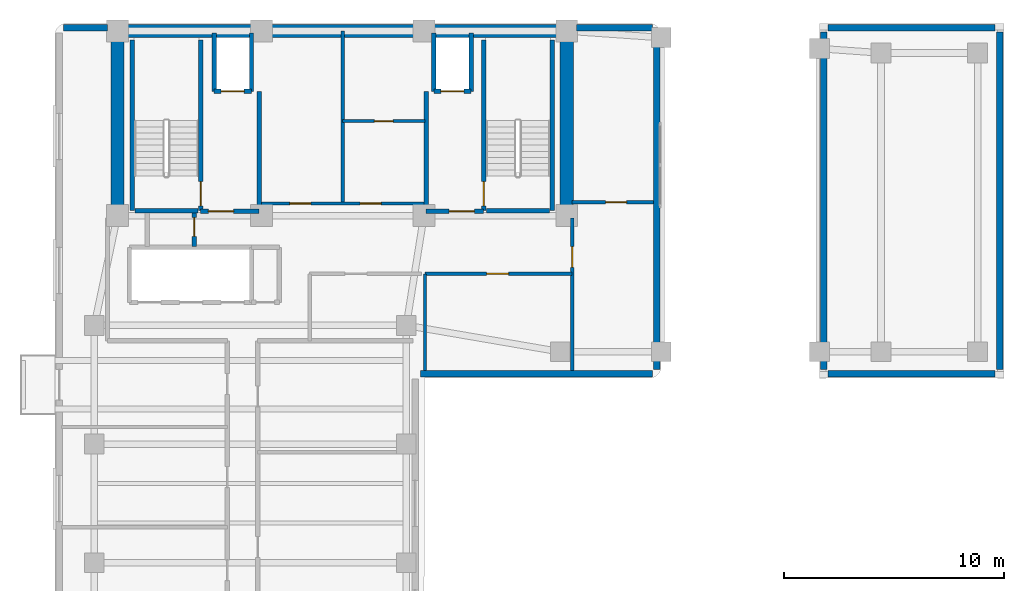
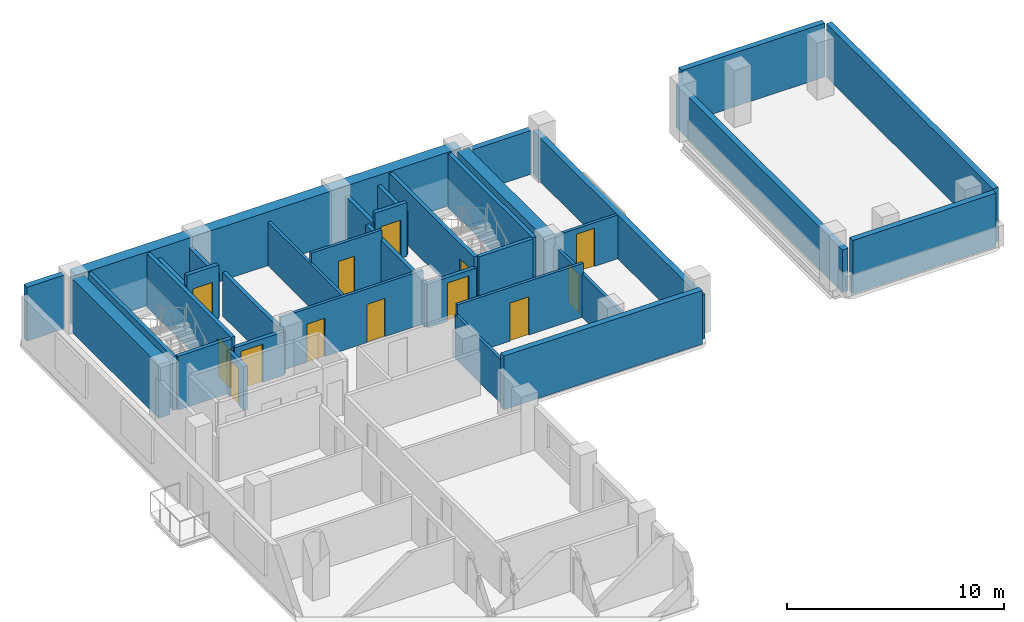
# One storey, part 7 of 10: 35 walls, 13 doors, 13 openings.
"""IFC4 building model written with IfcOpenShell, lengths in metres."""

import ifcopenshell
import ifcopenshell.guid

model = None  # the IFC model being written
_history = None  # IfcOwnerHistory: only IFC2X3 demands one
_inside = {}  # id of a spatial element -> (the spatial element, [elements in it])
_under = {}  # id of a project, library or spatial element -> (it, [spatial elements below it])
_declared = {}  # id of a project -> (the project, [libraries it declares])
_typed = {}  # id of a type object -> (the type object, [elements of that type])
_made_of = {}  # id of a material, layer set ... -> (it, [elements and type objects made of it])


def new_model(schema):
    """Start an empty IFC model of exactly this schema.

    Asked for "IFC4X3", IfcOpenShell would pick the latest addendum, in which some entities
    have other attributes; the version numbers below select the first issue.
    IFC2X3 requires an IfcOwnerHistory on every rooted entity: one is made here for all.
    """
    global model, _history
    if schema == "IFC4X3":
        model = ifcopenshell.file(schema_version=(4, 3, 0, 0))
    else:
        model = ifcopenshell.file(schema=schema)
    _inside.clear()
    _under.clear()
    _declared.clear()
    _typed.clear()
    _made_of.clear()
    _history = None
    if model.schema == "IFC2X3":
        org = make("IfcOrganization", Name="unknown")
        user = make(
            "IfcPersonAndOrganization",
            ThePerson=make("IfcPerson", FamilyName="unknown"),
            TheOrganization=org,
        )
        app = make(
            "IfcApplication",
            ApplicationDeveloper=org,
            Version="unknown",
            ApplicationFullName="unknown",
            ApplicationIdentifier="unknown",
        )
        _history = make(
            "IfcOwnerHistory",
            OwningUser=user,
            OwningApplication=app,
            ChangeAction="ADDED",
            CreationDate=0,
        )
    return model


def make(cls, **values):
    """One entity of the class cls with the attributes given. An attribute that is None is left unset."""
    return model.create_entity(
        cls, **{name: value for name, value in values.items() if value is not None}
    )


def rooted(cls, **values):
    """An entity with a GlobalId (a new one), such as an element, a storey or a relation."""
    return make(cls, GlobalId=ifcopenshell.guid.new(), OwnerHistory=_history, **values)


def si_unit(unit_type, name, prefix=None):
    """IfcSIUnit, for example si_unit("LENGTHUNIT", "METRE", prefix="MILLI")."""
    return make("IfcSIUnit", UnitType=unit_type, Prefix=prefix, Name=name)


def assignment(units):
    """IfcUnitAssignment: the units of a project."""
    return None if units is None else make("IfcUnitAssignment", Units=units)


def point(xyz):
    """IfcCartesianPoint."""
    return None if xyz is None else make("IfcCartesianPoint", Coordinates=xyz)


def direction(xyz):
    """IfcDirection."""
    return None if xyz is None else make("IfcDirection", DirectionRatios=xyz)


def frame(location, z_axis=None, x_axis=None):
    """IfcAxis2Placement3D, a coordinate frame: its origin and axes. An axis left out is left unset."""
    return make(
        "IfcAxis2Placement3D",
        Location=point(location),
        Axis=direction(z_axis),
        RefDirection=direction(x_axis),
    )


def frame_2d(location, x_axis=None):
    """IfcAxis2Placement2D, a coordinate frame in the plane: its origin and x axis."""
    return make(
        "IfcAxis2Placement2D", Location=point(location), RefDirection=direction(x_axis)
    )


def origin():
    """The frame at (0, 0, 0) with its axes left unset."""
    return frame((0.0, 0.0, 0.0))


def place(relative_to, where):
    """IfcLocalPlacement: puts the frame where relative to a parent placement (None: the world)."""
    return make(
        "IfcLocalPlacement", PlacementRelTo=relative_to, RelativePlacement=where
    )


def context(
    kind, dimensions, precision=None, world=None, true_north=None, identifier=None
):
    """IfcGeometricRepresentationContext, for example the 3D "Model" context."""
    return make(
        "IfcGeometricRepresentationContext",
        ContextIdentifier=identifier,
        ContextType=kind,
        CoordinateSpaceDimension=dimensions,
        Precision=precision,
        WorldCoordinateSystem=world,
        TrueNorth=true_north,
    )


def subcontext(parent, identifier, kind, view, scale=None):
    """IfcGeometricRepresentationSubContext, for example "Body" below "Model"."""
    return make(
        "IfcGeometricRepresentationSubContext",
        ContextIdentifier=identifier,
        ContextType=kind,
        ParentContext=parent,
        TargetScale=scale,
        TargetView=view,
    )


def project(units=None, contexts=None):
    """IfcProject with its units and contexts."""
    return rooted(
        "IfcProject",
        Name="project",
        RepresentationContexts=contexts,
        UnitsInContext=assignment(units),
    )


def spatial(cls, under=None, at=None, **own):
    """A site, building, storey or space (cls), placed at a placement, below another one or the project."""
    s = rooted(cls, ObjectPlacement=at, **own)
    if under is not None:
        _under.setdefault(under.id(), (under, []))[1].append(s)
    return s


def profile(cls, at=None, kind="AREA", **sizes):
    """A parametric profile (cls). Its sizes go by their IFC names, for example OverallWidth=200.0."""
    return make(cls, ProfileType=kind, Position=at, **sizes)


def rectangle(**sizes):
    """IfcRectangleProfileDef."""
    return profile("IfcRectangleProfileDef", **sizes)


def extrude(swept, where, along, depth):
    """IfcExtrudedAreaSolid: the profile swept, set in the frame where, extruded along a direction by depth."""
    return make(
        "IfcExtrudedAreaSolid",
        SweptArea=swept,
        Position=where,
        ExtrudedDirection=direction(along),
        Depth=depth,
    )


def shape(context_of_items, identifier, shape_type, items):
    """IfcShapeRepresentation: the items that make up one representation, for example the "Body"."""
    return make(
        "IfcShapeRepresentation",
        ContextOfItems=context_of_items,
        RepresentationIdentifier=identifier,
        RepresentationType=shape_type,
        Items=items,
    )


def material(Name=None, Category=None):
    """IfcMaterial."""
    return make("IfcMaterial", Name=Name, Category=Category)


def layer(
    of_material, thickness, ventilated=None, Name=None, Category=None, Priority=None
):
    """IfcMaterialLayer: one layer of a wall or slab, of a material (None: an air gap)."""
    return make(
        "IfcMaterialLayer",
        Material=of_material,
        LayerThickness=thickness,
        IsVentilated=ventilated,
        Name=Name,
        Category=Category,
        Priority=Priority,
    )


def layer_set(layers, Name=None):
    """IfcMaterialLayerSet."""
    return make("IfcMaterialLayerSet", MaterialLayers=layers, LayerSetName=Name)


def made_of(thing, what):
    """Note that an element or type object is made of a material, layer set ...; save() writes the relation."""
    if what is not None:
        _made_of.setdefault(what.id(), (what, []))[1].append(thing)
    return thing


def type_object(cls, material=None, **own):
    """A type object (cls), such as IfcWallType, which elements share."""
    return made_of(rooted(cls, **own), material)


def element(
    cls,
    number,
    at=None,
    inside=None,
    cuts=None,
    type_object=None,
    material=None,
    context=None,
    identifier="Body",
    shape_type=None,
    held_by="IfcProductDefinitionShape",
    body=None,
    shapes=None,
    **own,
):
    """One element of the class cls, such as IfcWall. Its Tag is "e" and its number.

    at: its placement. inside: the storey or other place that contains it. cuts: it is an
    opening in that element (IfcRelVoidsElement). A single representation is given by context,
    identifier, shape_type and body (its items); several are given by shapes. held_by: the class
    of the entity that holds the representations. save() writes the other relations.
    """
    e = rooted(cls, Tag="e%d" % number, ObjectPlacement=at, **own)
    if body is not None:
        shapes = [shape(context, identifier, shape_type, body)]
    if shapes is not None:
        e.Representation = make(held_by, Representations=shapes)
    if inside is not None:
        _inside.setdefault(inside.id(), (inside, []))[1].append(e)
    if cuts is not None:
        rooted(
            "IfcRelVoidsElement", RelatingBuildingElement=cuts, RelatedOpeningElement=e
        )
    if type_object is not None:
        _typed.setdefault(type_object.id(), (type_object, []))[1].append(e)
    return made_of(e, material)


def fill(opening, filler):
    """IfcRelFillsElement: the door or window that sits in an opening."""
    return rooted(
        "IfcRelFillsElement",
        RelatingOpeningElement=opening,
        RelatedBuildingElement=filler,
    )


def aggregate(whole, parts):
    """IfcRelAggregates: a whole, such as a stair, and the parts it consists of."""
    return rooted("IfcRelAggregates", RelatingObject=whole, RelatedObjects=parts)


def save(model, path):
    """Write the relations noted so far, then the file.

    IfcRelAggregates (storeys below a building ...), IfcRelContainedInSpatialStructure (elements
    in a storey), IfcRelDefinesByType, IfcRelAssociatesMaterial and IfcRelDeclares: one each for
    every whole, place, type object, material and project.
    """
    for whole, parts in _under.values():
        aggregate(whole, parts)
    for where, things in _inside.values():
        rooted(
            "IfcRelContainedInSpatialStructure",
            RelatedElements=things,
            RelatingStructure=where,
        )
    for kind, things in _typed.values():
        rooted("IfcRelDefinesByType", RelatedObjects=things, RelatingType=kind)
    for what, things in _made_of.values():
        rooted("IfcRelAssociatesMaterial", RelatedObjects=things, RelatingMaterial=what)
    for by, libraries in _declared.values():
        rooted("IfcRelDeclares", RelatingContext=by, RelatedDefinitions=libraries)
    model.write(path)


model = new_model("IFC4")

# Units and contexts
model_context = context("Model", 3, precision=1e-05, world=origin(), true_north=direction((0.0, 1.0)))
body_context = subcontext(model_context, "Body", "Model", "MODEL_VIEW")
ifc_project = project(units=[si_unit("LENGTHUNIT", "METRE"), si_unit("AREAUNIT", "SQUARE_METRE"), si_unit("VOLUMEUNIT", "CUBIC_METRE"), si_unit("PLANEANGLEUNIT", "RADIAN"), si_unit("MASSUNIT", "GRAM", prefix="KILO")], contexts=[model_context])

# Site, building, storey
site_placement = place(None, origin())
site = spatial("IfcSite", under=ifc_project, at=site_placement, CompositionType="ELEMENT")
building_placement = place(site_placement, origin())
building = spatial("IfcBuilding", under=site, at=building_placement, Name="Kuzgunbayir Cultural Tower", CompositionType="ELEMENT")
storey_placement = place(building_placement, frame((0.0, 0.0, 160.0)))
storey = spatial("IfcBuildingStorey", under=building, at=storey_placement, Name="L46", CompositionType="ELEMENT", Elevation=160.0)

# Walls
ifc_material_1 = material(Name="Concrete C60/75", Category="concrete")
ifc_layer_1 = layer(ifc_material_1, 0.60009765625)
ifc_layer_set_1 = layer_set([ifc_layer_1], Name="Concrete C60/75")
wall_type_1 = type_object("IfcWallType", Name="WAL-CORE-600", PredefinedType="SHEAR", material=ifc_layer_set_1)
wall_1_placement = place(storey_placement, frame((6.449951171875, 42.199951171875, 0.0), z_axis=(0.0, 0.0, 1.0), x_axis=(1.0, 0.0, 0.0)))
element("IfcWall", 1, at=wall_1_placement, inside=storey, type_object=wall_type_1, Name="L46 T1 Core North Shear Wall", PredefinedType="SHEAR", context=body_context, shape_type="SweptSolid", body=[
    extrude(rectangle(XDim=20.449951171875, YDim=0.60009765625, at=frame_2d((10.22509765625, 0.0))), origin(), (0.0, 0.0, 1.0), 3.02001953125),
])
for number, where, z_axis, x_axis, name in (
    (2, (6.449951171875, 33.800048828125, 0.0), (0.0, 0.0, 1.0), (0.0, 1.0, 0.0), "L46 T1 Core West Shear Wall"),
    (3, (26.89990234375, 33.800048828125, 0.0), (0.0, 0.0, 1.0), (0.0, 1.0, 0.0), "L46 T1 Core East Shear Wall"),
):
    element("IfcWall", number, at=place(storey_placement, frame(where, z_axis=z_axis, x_axis=x_axis)), inside=storey, type_object=wall_type_1, Name=name, PredefinedType="SHEAR", context=body_context, shape_type="SweptSolid", body=[
        extrude(rectangle(XDim=7.949951171875, YDim=0.60009765625, at=frame_2d((3.97509765625, 0.0))), origin(), (0.0, 0.0, 1.0), 3.02001953125),
    ])
ifc_material_2 = material(Name="Anatolian Cream Limestone", Category="masonry")
ifc_layer_2 = layer(ifc_material_2, 0.300048828125)
ifc_layer_set_2 = layer_set([ifc_layer_2], Name="Anatolian Cream Limestone")
wall_type_2 = type_object("IfcWallType", Name="WAL-EXT-STONE-300", PredefinedType="STANDARD", material=ifc_layer_set_2)
wall_2_placement = place(storey_placement, frame((30.800048828125, 42.35009765625, 0.0), z_axis=(0.0, 0.0, 1.0), x_axis=(-1.0, 0.0, 0.0)))
element("IfcWall", 4, at=wall_2_placement, inside=storey, type_object=wall_type_2, Name="L46 North Wing B Limestone Wall", PredefinedType="STANDARD", context=body_context, shape_type="SweptSolid", body=[
    extrude(rectangle(XDim=3.449951171875, YDim=0.300048828125, at=frame_2d((1.72509765625, 0.0))), origin(), (0.0, 0.0, 1.0), 2.4599609375),
])
wall_3_placement = place(storey_placement, frame((6.0, 42.35009765625, 0.0), z_axis=(0.0, 0.0, 1.0), x_axis=(-1.0, 0.0, 0.0)))
element("IfcWall", 5, at=wall_3_placement, inside=storey, type_object=wall_type_2, Name="L46 Core North-West Spandrel Link", PredefinedType="STANDARD", context=body_context, shape_type="SweptSolid", body=[
    extrude(rectangle(XDim=2.0, YDim=0.300048828125, at=frame_2d((1.0, 0.0))), origin(), (0.0, 0.0, 1.0), 3.02001953125),
])
wall_4_placement = place(storey_placement, frame((20.25, 26.60009765625, 0.0), z_axis=(0.0, 0.0, 1.0), x_axis=(1.0, 0.0, 0.0)))
element("IfcWall", 6, at=wall_4_placement, inside=storey, type_object=wall_type_2, Name="L46 Wind-Portal West Wing Wall", PredefinedType="STANDARD", context=body_context, shape_type="SweptSolid", body=[
    extrude(rectangle(XDim=10.550048828125, YDim=0.300048828125, at=frame_2d((5.27490234375, 0.0))), origin(), (0.0, 0.0, 1.0), 3.02001953125),
])
for number, where, z_axis, x_axis, name in (
    (7, (38.800048828125, 26.60009765625, 0.0), (0.0, 0.0, 1.0), (1.0, 0.0, 0.0), "L46 Wind-Portal East Pier South Wall"),
    (8, (46.39990234375, 42.35009765625, 0.0), (0.0, 0.0, 1.0), (-1.0, 0.0, 0.0), "L46 Wind-Portal East Pier North Wall"),
):
    element("IfcWall", number, at=place(storey_placement, frame(where, z_axis=z_axis, x_axis=x_axis)), inside=storey, type_object=wall_type_2, Name=name, PredefinedType="STANDARD", context=body_context, shape_type="SweptSolid", body=[
        extrude(rectangle(XDim=7.599853515625, YDim=0.300048828125, at=frame_2d((3.7998046875, 0.0))), origin(), (0.0, 0.0, 1.0), 3.02001953125),
    ])
wall_5_placement = place(storey_placement, frame((31.0, 26.800048828125, 0.0), z_axis=(0.0, 0.0, 1.0), x_axis=(0.0, 1.0, 0.0)))
element("IfcWall", 9, at=wall_5_placement, inside=storey, type_object=wall_type_2, Name="L46 Wind-Portal West Jamb Wall", PredefinedType="STANDARD", context=body_context, shape_type="SweptSolid", body=[
    extrude(rectangle(XDim=15.349853515625, YDim=0.300048828125, at=frame_2d((7.6748046875, 0.0))), origin(), (0.0, 0.0, 1.0), 2.4599609375),
])
wall_6_placement = place(storey_placement, frame((38.60009765625, 42.14990234375, 0.0), z_axis=(0.0, 0.0, 1.0), x_axis=(0.0, -1.0, 0.0)))
element("IfcWall", 10, at=wall_6_placement, inside=storey, type_object=wall_type_2, Name="L46 Wind-Portal East Jamb Wall", PredefinedType="STANDARD", context=body_context, shape_type="SweptSolid", body=[
    extrude(rectangle(XDim=15.349853515625, YDim=0.300048828125, at=frame_2d((7.6748046875, 0.0))), origin(), (0.0, 0.0, 1.0), 2.39990234375),
])
wall_7_placement = place(storey_placement, frame((46.60009765625, 26.800048828125, 0.0), z_axis=(0.0, 0.0, 1.0), x_axis=(0.0, 1.0, 0.0)))
element("IfcWall", 11, at=wall_7_placement, inside=storey, type_object=wall_type_2, Name="L46 Wind-Portal East Wall", PredefinedType="STANDARD", context=body_context, shape_type="SweptSolid", body=[
    extrude(rectangle(XDim=15.349853515625, YDim=0.300048828125, at=frame_2d((7.6748046875, 0.0))), origin(), (0.0, 0.0, 1.0), 3.02001953125),
])

# Wall, openings, doors
ifc_material_3 = material(Name="Acoustic Double-Stud Drywall", Category="gypsum")
ifc_layer_3 = layer(ifc_material_3, 0.14990234375)
ifc_layer_set_3 = layer_set([ifc_layer_3], Name="Acoustic Double-Stud Drywall")
wall_type_3 = type_object("IfcWallType", Name="WAL-PART-ACOUSTIC-150", PredefinedType="PARTITIONING", material=ifc_layer_set_3)
wall_8_placement = place(storey_placement, frame((12.89990234375, 34.35009765625, 0.0), z_axis=(0.0, 0.0, 1.0), x_axis=(1.0, 0.0, 0.0)))
wall_8 = element("IfcWall", 12, at=wall_8_placement, inside=storey, type_object=wall_type_3, Name="L46 Sky Core South Wall", PredefinedType="PARTITIONING", context=body_context, shape_type="SweptSolid", body=[
    extrude(rectangle(XDim=7.60009765625, YDim=0.14990234375, at=frame_2d((3.800048828125, 0.0))), origin(), (0.0, 0.0, 1.0), 3.02001953125),
])
opening_1_placement = place(wall_8_placement, frame((1.39990234375, 0.0, 0.0)))
opening_1 = element("IfcOpeningElement", 13, at=opening_1_placement, cuts=wall_8, Name="Opening DC-95", PredefinedType="OPENING", context=body_context, shape_type="SweptSolid", body=[
    extrude(rectangle(XDim=0.949951171875, YDim=2.14990234375, at=frame_2d((0.47509765625, 1.074951171875))), frame((0.0, 0.0849609375, 0.0), z_axis=(0.0, -1.0, 0.0), x_axis=(1.0, 0.0, 0.0)), (0.0, 0.0, 1.0), 0.169921875),
])
opening_2_placement = place(wall_8_placement, frame((4.60009765625, 0.0, 0.0)))
opening_2 = element("IfcOpeningElement", 14, at=opening_2_placement, cuts=wall_8, Name="Opening DC-95", PredefinedType="OPENING", context=body_context, shape_type="SweptSolid", body=[
    extrude(rectangle(XDim=0.949951171875, YDim=2.14990234375, at=frame_2d((0.47509765625, 1.074951171875))), frame((0.0, 0.0849609375, 0.0), z_axis=(0.0, -1.0, 0.0), x_axis=(1.0, 0.0, 0.0)), (0.0, 0.0, 1.0), 0.169921875),
])
ifc_material_4 = material(Name="Fire-Rated Veneered Oak Leaf", Category="wood")
door_type_1 = type_object("IfcDoorType", Name="DR-CORE-95", OperationType="NOTDEFINED", PredefinedType="DOOR", material=ifc_material_4)
door_1_placement = place(opening_1_placement, origin())
door_1 = element("IfcDoor", 15, at=door_1_placement, inside=storey, type_object=door_type_1, Name="L46 Library Alcove Door", OperationType="SINGLE_SWING_RIGHT", OverallHeight=2.14990234375, OverallWidth=0.949951171875, PredefinedType="DOOR", context=body_context, shape_type="SweptSolid", body=[
    extrude(rectangle(XDim=0.949951171875, YDim=2.14990234375, at=frame_2d((0.47509765625, 1.074951171875))), frame((0.0, 0.02490234375, 0.0), z_axis=(0.0, -1.0, 0.0), x_axis=(1.0, 0.0, 0.0)), (0.0, 0.0, 1.0), 0.050048828125),
])
fill(opening_1, door_1)
door_2_placement = place(opening_2_placement, origin())
door_2 = element("IfcDoor", 16, at=door_2_placement, inside=storey, type_object=door_type_1, Name="L46 Music Practice Room Door", OperationType="SINGLE_SWING_LEFT", OverallHeight=2.14990234375, OverallWidth=0.949951171875, PredefinedType="DOOR", context=body_context, shape_type="SweptSolid", body=[
    extrude(rectangle(XDim=0.949951171875, YDim=2.14990234375, at=frame_2d((0.47509765625, 1.074951171875))), frame((0.0, 0.02490234375, 0.0), z_axis=(0.0, -1.0, 0.0), x_axis=(1.0, 0.0, 0.0)), (0.0, 0.0, 1.0), 0.050048828125),
])
fill(opening_2, door_2)

# Wall
wall_9_placement = place(storey_placement, frame((16.699951171875, 34.35009765625, 0.0), z_axis=(0.0, 0.0, 1.0), x_axis=(0.0, 1.0, 0.0)))
element("IfcWall", 17, at=wall_9_placement, inside=storey, type_object=wall_type_3, Name="L46 Sky Core Vertical Wall", PredefinedType="PARTITIONING", context=body_context, shape_type="SweptSolid", body=[
    extrude(rectangle(XDim=7.849853515625, YDim=0.14990234375, at=frame_2d((3.9248046875, 0.0))), origin(), (0.0, 0.0, 1.0), 2.4599609375),
])

# Wall, opening, door
wall_10_placement = place(storey_placement, frame((16.699951171875, 38.10009765625, 0.0), z_axis=(0.0, 0.0, 1.0), x_axis=(1.0, 0.0, 0.0)))
wall_10 = element("IfcWall", 18, at=wall_10_placement, inside=storey, type_object=wall_type_3, Name="L46 Sky Core Store Divider", PredefinedType="PARTITIONING", context=body_context, shape_type="SweptSolid", body=[
    extrude(rectangle(XDim=3.75, YDim=0.14990234375, at=frame_2d((1.875, 0.0))), origin(), (0.0, 0.0, 1.0), 3.02001953125),
])
opening_3_placement = place(wall_10_placement, frame((1.449951171875, 0.0, 0.0)))
opening_3 = element("IfcOpeningElement", 19, at=opening_3_placement, cuts=wall_10, Name="Opening DC-85", PredefinedType="OPENING", context=body_context, shape_type="SweptSolid", body=[
    extrude(rectangle(XDim=0.85009765625, YDim=2.050048828125, at=frame_2d((0.425048828125, 1.02490234375))), frame((0.0, 0.0849609375, 0.0), z_axis=(0.0, -1.0, 0.0), x_axis=(1.0, 0.0, 0.0)), (0.0, 0.0, 1.0), 0.169921875),
])
door_type_2 = type_object("IfcDoorType", Name="DR-CORE-85", OperationType="NOTDEFINED", PredefinedType="DOOR", material=ifc_material_4)
door_3_placement = place(opening_3_placement, origin())
door_3 = element("IfcDoor", 20, at=door_3_placement, inside=storey, type_object=door_type_2, Name="L46 Core Electrical Store Door", OperationType="SINGLE_SWING_RIGHT", OverallHeight=2.050048828125, OverallWidth=0.85009765625, PredefinedType="DOOR", context=body_context, shape_type="SweptSolid", body=[
    extrude(rectangle(XDim=0.85009765625, YDim=2.050048828125, at=frame_2d((0.425048828125, 1.02490234375))), frame((0.0, 0.02490234375, 0.0), z_axis=(0.0, -1.0, 0.0), x_axis=(1.0, 0.0, 0.0)), (0.0, 0.0, 1.0), 0.050048828125),
])
fill(opening_3, door_3)

wall_11_placement = place(storey_placement, frame((20.449951171875, 31.14990234375, 0.0), z_axis=(0.0, 0.0, 1.0), x_axis=(1.0, 0.0, 0.0)))
wall_11 = element("IfcWall", 21, at=wall_11_placement, inside=storey, type_object=wall_type_3, Name="L46 Wind-Portal Salon North Wall", PredefinedType="PARTITIONING", context=body_context, shape_type="SweptSolid", body=[
    extrude(rectangle(XDim=6.699951171875, YDim=0.14990234375, at=frame_2d((3.35009765625, 0.0))), origin(), (0.0, 0.0, 1.0), 3.02001953125),
])
opening_4_placement = place(wall_11_placement, frame((2.800048828125, 0.0, 0.0)))
opening_4 = element("IfcOpeningElement", 22, at=opening_4_placement, cuts=wall_11, Name="Opening DI-100", PredefinedType="OPENING", context=body_context, shape_type="SweptSolid", body=[
    extrude(rectangle(XDim=1.0, YDim=2.14990234375, at=frame_2d((0.5, 1.074951171875))), frame((0.0, 0.0849609375, 0.0), z_axis=(0.0, -1.0, 0.0), x_axis=(1.0, 0.0, 0.0)), (0.0, 0.0, 1.0), 0.169921875),
])
ifc_material_5 = material(Name="Veneered Oak Single Leaf", Category="wood")
door_type_3 = type_object("IfcDoorType", Name="DR-INT-100", OperationType="NOTDEFINED", PredefinedType="DOOR", material=ifc_material_5)
door_4_placement = place(opening_4_placement, origin())
door_4 = element("IfcDoor", 23, at=door_4_placement, inside=storey, type_object=door_type_3, Name="L46 Wind-Portal Salon Door", OperationType="SINGLE_SWING_LEFT", OverallHeight=2.14990234375, OverallWidth=1.0, PredefinedType="DOOR", context=body_context, shape_type="SweptSolid", body=[
    extrude(rectangle(XDim=1.0, YDim=2.14990234375, at=frame_2d((0.5, 1.074951171875))), frame((0.0, 0.02490234375, 0.0), z_axis=(0.0, -1.0, 0.0), x_axis=(1.0, 0.0, 0.0)), (0.0, 0.0, 1.0), 0.050048828125),
])
fill(opening_4, door_4)

# Wall
wall_12_placement = place(storey_placement, frame((20.449951171875, 26.75, 0.0), z_axis=(0.0, 0.0, 1.0), x_axis=(0.0, 1.0, 0.0)))
element("IfcWall", 24, at=wall_12_placement, inside=storey, type_object=wall_type_3, Name="L46 Wind-Portal Salon West Wall", PredefinedType="PARTITIONING", context=body_context, shape_type="SweptSolid", body=[
    extrude(rectangle(XDim=4.39990234375, YDim=0.14990234375, at=frame_2d((2.199951171875, 0.0))), origin(), (0.0, 0.0, 1.0), 2.4599609375),
])

# Wall, opening, door
wall_13_placement = place(storey_placement, frame((27.14990234375, 26.75, 0.0), z_axis=(0.0, 0.0, 1.0), x_axis=(0.0, 1.0, 0.0)))
wall_13 = element("IfcWall", 25, at=wall_13_placement, inside=storey, type_object=wall_type_3, Name="L46 Wind-Portal East Atelier Wall", PredefinedType="PARTITIONING", context=body_context, shape_type="SweptSolid", body=[
    extrude(rectangle(XDim=6.929931640625, YDim=0.14990234375, at=frame_2d((3.46484375, 0.0))), origin(), (0.0, 0.0, 1.0), 2.4599609375),
])
opening_5_placement = place(wall_13_placement, frame((4.68994140625, 0.0, 0.0)))
opening_5 = element("IfcOpeningElement", 26, at=opening_5_placement, cuts=wall_13, Name="Opening DI-90", PredefinedType="OPENING", context=body_context, shape_type="SweptSolid", body=[
    extrude(rectangle(XDim=0.949951171875, YDim=2.14990234375, at=frame_2d((0.47509765625, 1.074951171875))), frame((0.0, 0.0849609375, 0.0), z_axis=(0.0, -1.0, 0.0), x_axis=(1.0, 0.0, 0.0)), (0.0, 0.0, 1.0), 0.169921875),
])
door_type_4 = type_object("IfcDoorType", Name="DR-INT-90", OperationType="NOTDEFINED", PredefinedType="DOOR", material=ifc_material_5)
door_5_placement = place(opening_5_placement, origin())
door_5 = element("IfcDoor", 27, at=door_5_placement, inside=storey, type_object=door_type_4, Name="L46 Wind-Portal Lookout Door", OperationType="SINGLE_SWING_RIGHT", OverallHeight=2.14990234375, OverallWidth=0.949951171875, PredefinedType="DOOR", context=body_context, shape_type="SweptSolid", body=[
    extrude(rectangle(XDim=0.949951171875, YDim=2.14990234375, at=frame_2d((0.47509765625, 1.074951171875))), frame((0.0, 0.02490234375, 0.0), z_axis=(0.0, -1.0, 0.0), x_axis=(1.0, 0.0, 0.0)), (0.0, 0.0, 1.0), 0.050048828125),
])
fill(opening_5, door_5)

wall_14_placement = place(storey_placement, frame((27.14990234375, 34.39990234375, 0.0), z_axis=(0.0, 0.0, 1.0), x_axis=(1.0, 0.0, 0.0)))
wall_14 = element("IfcWall", 28, at=wall_14_placement, inside=storey, type_object=wall_type_3, Name="L46 Wind-Portal Atelier Divider", PredefinedType="PARTITIONING", context=body_context, shape_type="SweptSolid", body=[
    extrude(rectangle(XDim=3.7001953125, YDim=0.14990234375, at=frame_2d((1.85009765625, 0.0))), origin(), (0.0, 0.0, 1.0), 2.4599609375),
])
opening_6_placement = place(wall_14_placement, frame((1.52001953125, 0.0, 0.0)))
opening_6 = element("IfcOpeningElement", 29, at=opening_6_placement, cuts=wall_14, Name="Opening DI-90", PredefinedType="OPENING", context=body_context, shape_type="SweptSolid", body=[
    extrude(rectangle(XDim=0.949951171875, YDim=2.14990234375, at=frame_2d((0.47509765625, 1.074951171875))), frame((0.0, 0.0849609375, 0.0), z_axis=(0.0, -1.0, 0.0), x_axis=(1.0, 0.0, 0.0)), (0.0, 0.0, 1.0), 0.169921875),
])
door_6_placement = place(opening_6_placement, origin())
door_6 = element("IfcDoor", 30, at=door_6_placement, inside=storey, type_object=door_type_4, Name="L46 Wind-Portal Atelier Door", OperationType="SINGLE_SWING_LEFT", OverallHeight=2.14990234375, OverallWidth=0.949951171875, PredefinedType="DOOR", context=body_context, shape_type="SweptSolid", body=[
    extrude(rectangle(XDim=0.949951171875, YDim=2.14990234375, at=frame_2d((0.47509765625, 1.074951171875))), frame((0.0, 0.02490234375, 0.0), z_axis=(0.0, -1.0, 0.0), x_axis=(1.0, 0.0, 0.0)), (0.0, 0.0, 1.0), 0.050048828125),
])
fill(opening_6, door_6)

# Wall
ifc_material_6 = material(Name="Aerated Concrete Blockwork", Category="masonry")
ifc_layer_4 = layer(ifc_material_6, 0.199951171875)
ifc_layer_set_4 = layer_set([ifc_layer_4], Name="Aerated Concrete Blockwork")
wall_type_4 = type_object("IfcWallType", Name="WAL-PART-FIRE-200", PredefinedType="PARTITIONING", material=ifc_layer_set_4)
wall_15_placement = place(storey_placement, frame((12.89990234375, 34.0, 0.0), z_axis=(0.0, 0.0, 1.0), x_axis=(0.0, 1.0, 0.0)))
element("IfcWall", 31, at=wall_15_placement, inside=storey, type_object=wall_type_4, Name="L46 FFL-1 Lobby East Fire Wall", PredefinedType="PARTITIONING", context=body_context, shape_type="SweptSolid", body=[
    extrude(rectangle(XDim=5.449951171875, YDim=0.199951171875, at=frame_2d((2.72509765625, 0.0))), origin(), (0.0, 0.0, 1.0), 2.4599609375),
])

# Wall, opening, door
wall_16_placement = place(storey_placement, frame((10.239990234375, 34.0, 0.0), z_axis=(0.0, 0.0, 1.0), x_axis=(1.0, 0.0, 0.0)))
wall_16 = element("IfcWall", 32, at=wall_16_placement, inside=storey, type_object=wall_type_4, Name="L46 FFL-1 Lobby South Fire Wall", PredefinedType="PARTITIONING", context=body_context, shape_type="SweptSolid", body=[
    extrude(rectangle(XDim=2.659912109375, YDim=0.199951171875, at=frame_2d((1.330078125, 0.0))), origin(), (0.0, 0.0, 1.0), 2.4599609375),
])
opening_7_placement = place(wall_16_placement, frame((0.35009765625, 0.0, 0.0)))
opening_7 = element("IfcOpeningElement", 33, at=opening_7_placement, cuts=wall_16, Name="Opening DR-FFL-90", PredefinedType="OPENING", context=body_context, shape_type="SweptSolid", body=[
    extrude(rectangle(XDim=1.14990234375, YDim=2.14990234375, at=frame_2d((0.574951171875, 1.074951171875))), frame((0.0, 0.10986328125, 0.0), z_axis=(0.0, -1.0, 0.0), x_axis=(1.0, 0.0, 0.0)), (0.0, 0.0, 1.0), 0.219970703125),
])
ifc_material_7 = material(Name="Steel S355J2", Category="steel")
door_type_5 = type_object("IfcDoorType", Name="DR-FFL-90", OperationType="NOTDEFINED", PredefinedType="DOOR", material=ifc_material_7)
door_7_placement = place(opening_7_placement, origin())
door_7 = element("IfcDoor", 34, at=door_7_placement, inside=storey, type_object=door_type_5, Name="L46 Firefighting Lobby 1 Door", OperationType="SINGLE_SWING_RIGHT", OverallHeight=2.14990234375, OverallWidth=1.14990234375, PredefinedType="DOOR", context=body_context, shape_type="SweptSolid", body=[
    extrude(rectangle(XDim=1.14990234375, YDim=2.14990234375, at=frame_2d((0.574951171875, 1.074951171875))), frame((0.0, 0.02490234375, 0.0), z_axis=(0.0, -1.0, 0.0), x_axis=(1.0, 0.0, 0.0)), (0.0, 0.0, 1.0), 0.050048828125),
])
fill(opening_7, door_7)

# Wall
wall_17_placement = place(storey_placement, frame((20.5, 34.0, 0.0), z_axis=(0.0, 0.0, 1.0), x_axis=(0.0, 1.0, 0.0)))
element("IfcWall", 35, at=wall_17_placement, inside=storey, type_object=wall_type_4, Name="L46 FFL-2 Lobby West Fire Wall", PredefinedType="PARTITIONING", context=body_context, shape_type="SweptSolid", body=[
    extrude(rectangle(XDim=5.449951171875, YDim=0.199951171875, at=frame_2d((2.72509765625, 0.0))), origin(), (0.0, 0.0, 1.0), 2.4599609375),
])

# Wall, opening, door
wall_18_placement = place(storey_placement, frame((20.5, 34.0, 0.0), z_axis=(0.0, 0.0, 1.0), x_axis=(1.0, 0.0, 0.0)))
wall_18 = element("IfcWall", 36, at=wall_18_placement, inside=storey, type_object=wall_type_4, Name="L46 FFL-2 Lobby South Fire Wall", PredefinedType="PARTITIONING", context=body_context, shape_type="SweptSolid", body=[
    extrude(rectangle(XDim=2.60009765625, YDim=0.199951171875, at=frame_2d((1.300048828125, 0.0))), origin(), (0.0, 0.0, 1.0), 2.4599609375),
])
opening_8_placement = place(wall_18_placement, frame((1.050048828125, 0.0, 0.0)))
opening_8 = element("IfcOpeningElement", 37, at=opening_8_placement, cuts=wall_18, Name="Opening DR-FFL-90", PredefinedType="OPENING", context=body_context, shape_type="SweptSolid", body=[
    extrude(rectangle(XDim=1.14990234375, YDim=2.14990234375, at=frame_2d((0.574951171875, 1.074951171875))), frame((0.0, 0.10986328125, 0.0), z_axis=(0.0, -1.0, 0.0), x_axis=(1.0, 0.0, 0.0)), (0.0, 0.0, 1.0), 0.219970703125),
])
door_8_placement = place(opening_8_placement, origin())
door_8 = element("IfcDoor", 38, at=door_8_placement, inside=storey, type_object=door_type_5, Name="L46 Firefighting Lobby 2 Door", OperationType="SINGLE_SWING_LEFT", OverallHeight=2.14990234375, OverallWidth=1.14990234375, PredefinedType="DOOR", context=body_context, shape_type="SweptSolid", body=[
    extrude(rectangle(XDim=1.14990234375, YDim=2.14990234375, at=frame_2d((0.574951171875, 1.074951171875))), frame((0.0, 0.02490234375, 0.0), z_axis=(0.0, -1.0, 0.0), x_axis=(1.0, 0.0, 0.0)), (0.0, 0.0, 1.0), 0.050048828125),
])
fill(opening_8, door_8)

wall_19_placement = place(storey_placement, frame((9.949951171875, 32.39990234375, 0.0), z_axis=(0.0, 0.0, 1.0), x_axis=(0.0, 1.0, 0.0)))
wall_19 = element("IfcWall", 39, at=wall_19_placement, inside=storey, type_object=wall_type_4, Name="L46 West Core Electrical Closet East Wall", PredefinedType="PARTITIONING", context=body_context, shape_type="SweptSolid", body=[
    extrude(rectangle(XDim=1.52001953125, YDim=0.199951171875, at=frame_2d((0.760009765625, 0.0))), origin(), (0.0, 0.0, 1.0), 2.4599609375),
])
opening_9_placement = place(wall_19_placement, frame((0.449951171875, 0.0, 0.0)))
opening_9 = element("IfcOpeningElement", 40, at=opening_9_placement, cuts=wall_19, Name="Opening DR-RSR-60", PredefinedType="OPENING", context=body_context, shape_type="SweptSolid", body=[
    extrude(rectangle(XDim=0.85009765625, YDim=2.050048828125, at=frame_2d((0.425048828125, 1.02490234375))), frame((0.0, 0.10986328125, 0.0), z_axis=(0.0, -1.0, 0.0), x_axis=(1.0, 0.0, 0.0)), (0.0, 0.0, 1.0), 0.219970703125),
])
ifc_material_8 = material(Name="Steel Access Leaf", Category="steel")
door_type_6 = type_object("IfcDoorType", Name="DR-RISER-60", OperationType="NOTDEFINED", PredefinedType="DOOR", material=ifc_material_8)
door_9_placement = place(opening_9_placement, origin())
door_9 = element("IfcDoor", 41, at=door_9_placement, inside=storey, type_object=door_type_6, Name="L46 West Core Switchgear Closet Door", OperationType="SINGLE_SWING_LEFT", OverallHeight=2.050048828125, OverallWidth=0.85009765625, PredefinedType="DOOR", context=body_context, shape_type="SweptSolid", body=[
    extrude(rectangle(XDim=0.85009765625, YDim=2.050048828125, at=frame_2d((0.425048828125, 1.02490234375))), frame((0.0, 0.02490234375, 0.0), z_axis=(0.0, -1.0, 0.0), x_axis=(1.0, 0.0, 0.0)), (0.0, 0.0, 1.0), 0.050048828125),
])
fill(opening_9, door_9)

ifc_material_9 = material(Name="Concrete C40/50", Category="concrete")
ifc_layer_5 = layer(ifc_material_9, 0.199951171875)
ifc_layer_set_5 = layer_set([ifc_layer_5], Name="Concrete C40/50")
wall_type_5 = type_object("IfcWallType", Name="WAL-SHAFT-200", PredefinedType="MOVABLE", material=ifc_layer_set_5)
wall_20_placement = place(storey_placement, frame((10.85009765625, 39.449951171875, 0.0), z_axis=(0.0, 0.0, 1.0), x_axis=(1.0, 0.0, 0.0)))
wall_20 = element("IfcWall", 42, at=wall_20_placement, inside=storey, type_object=wall_type_5, Name="L46 FFL-1 Lift Front Wall", PredefinedType="MOVABLE", context=body_context, shape_type="SweptSolid", body=[
    extrude(rectangle(XDim=1.699951171875, YDim=0.199951171875, at=frame_2d((0.85009765625, 0.0))), origin(), (0.0, 0.0, 1.0), 3.02001953125),
])
opening_10_placement = place(wall_20_placement, frame((0.320068359375, 0.0, 0.0)))
opening_10 = element("IfcOpeningElement", 43, at=opening_10_placement, cuts=wall_20, Name="Opening LD", PredefinedType="OPENING", context=body_context, shape_type="SweptSolid", body=[
    extrude(rectangle(XDim=1.050048828125, YDim=2.14990234375, at=frame_2d((0.52490234375, 1.074951171875))), frame((0.0, 0.10986328125, 0.0), z_axis=(0.0, -1.0, 0.0), x_axis=(1.0, 0.0, 0.0)), (0.0, 0.0, 1.0), 0.219970703125),
])
ifc_material_10 = material(Name="Brushed Stainless Steel", Category="steel")
door_type_7 = type_object("IfcDoorType", Name="DR-LIFT-LANDING", OperationType="SLIDING_TO_LEFT", PredefinedType="DOOR", material=ifc_material_10)
door_10_placement = place(opening_10_placement, origin())
door_10 = element("IfcDoor", 44, at=door_10_placement, inside=storey, type_object=door_type_7, Name="L46 Lift FFL-1 Landing Door", OperationType="SLIDING_TO_LEFT", OverallHeight=2.14990234375, OverallWidth=1.050048828125, PredefinedType="DOOR", context=body_context, shape_type="SweptSolid", body=[
    extrude(rectangle(XDim=1.050048828125, YDim=2.14990234375, at=frame_2d((0.52490234375, 1.074951171875))), frame((0.0, 0.02490234375, 0.0), z_axis=(0.0, -1.0, 0.0), x_axis=(1.0, 0.0, 0.0)), (0.0, 0.0, 1.0), 0.050048828125),
])
fill(opening_10, door_10)

wall_21_placement = place(storey_placement, frame((20.85009765625, 39.449951171875, 0.0), z_axis=(0.0, 0.0, 1.0), x_axis=(1.0, 0.0, 0.0)))
wall_21 = element("IfcWall", 45, at=wall_21_placement, inside=storey, type_object=wall_type_5, Name="L46 FFL-2 Lift Front Wall", PredefinedType="MOVABLE", context=body_context, shape_type="SweptSolid", body=[
    extrude(rectangle(XDim=1.699951171875, YDim=0.199951171875, at=frame_2d((0.85009765625, 0.0))), origin(), (0.0, 0.0, 1.0), 3.02001953125),
])
opening_11_placement = place(wall_21_placement, frame((0.320068359375, 0.0, 0.0)))
opening_11 = element("IfcOpeningElement", 46, at=opening_11_placement, cuts=wall_21, Name="Opening LD", PredefinedType="OPENING", context=body_context, shape_type="SweptSolid", body=[
    extrude(rectangle(XDim=1.050048828125, YDim=2.14990234375, at=frame_2d((0.52490234375, 1.074951171875))), frame((0.0, 0.10986328125, 0.0), z_axis=(0.0, -1.0, 0.0), x_axis=(1.0, 0.0, 0.0)), (0.0, 0.0, 1.0), 0.219970703125),
])
door_11_placement = place(opening_11_placement, origin())
door_11 = element("IfcDoor", 47, at=door_11_placement, inside=storey, type_object=door_type_7, Name="L46 Lift FFL-2 Landing Door", OperationType="SLIDING_TO_LEFT", OverallHeight=2.14990234375, OverallWidth=1.050048828125, PredefinedType="DOOR", context=body_context, shape_type="SweptSolid", body=[
    extrude(rectangle(XDim=1.050048828125, YDim=2.14990234375, at=frame_2d((0.52490234375, 1.074951171875))), frame((0.0, 0.02490234375, 0.0), z_axis=(0.0, -1.0, 0.0), x_axis=(1.0, 0.0, 0.0)), (0.0, 0.0, 1.0), 0.050048828125),
])
fill(opening_11, door_11)

# Walls
for number, where, z_axis, x_axis, name in (
    (48, (10.85009765625, 39.449951171875, 0.0), (0.0, 0.0, 1.0), (0.0, 1.0, 0.0), "L46 FFL-1 Shaft West Wall"),
    (49, (12.550048828125, 39.449951171875, 0.0), (0.0, 0.0, 1.0), (0.0, 1.0, 0.0), "L46 FFL-1 Shaft East Wall"),
    (50, (20.85009765625, 39.449951171875, 0.0), (0.0, 0.0, 1.0), (0.0, 1.0, 0.0), "L46 FFL-2 Shaft West Wall"),
    (51, (22.550048828125, 39.449951171875, 0.0), (0.0, 0.0, 1.0), (0.0, 1.0, 0.0), "L46 FFL-2 Shaft East Wall"),
):
    element("IfcWall", number, at=place(storey_placement, frame(where, z_axis=z_axis, x_axis=x_axis)), inside=storey, type_object=wall_type_5, Name=name, PredefinedType="MOVABLE", context=body_context, shape_type="SweptSolid", body=[
        extrude(rectangle(XDim=2.650146484375, YDim=0.199951171875, at=frame_2d((1.3251953125, 0.0))), origin(), (0.0, 0.0, 1.0), 2.4599609375),
    ])
ifc_layer_6 = layer(ifc_material_9, 0.199951171875)
ifc_layer_set_6 = layer_set([ifc_layer_6], Name="Concrete C40/50")
wall_type_6 = type_object("IfcWallType", Name="WAL-STAIR-RC-200", PredefinedType="SHEAR", material=ifc_layer_set_6)
wall_22_placement = place(storey_placement, frame((7.1201171875, 34.02001953125, 0.0), z_axis=(0.0, 0.0, 1.0), x_axis=(0.0, 1.0, 0.0)))
element("IfcWall", 52, at=wall_22_placement, inside=storey, type_object=wall_type_6, Name="L46 Stair ST-1 West Structural Wall", PredefinedType="SHEAR", context=body_context, shape_type="SweptSolid", body=[
    extrude(rectangle(XDim=7.780029296875, YDim=0.199951171875, at=frame_2d((3.89013671875, 0.0))), origin(), (0.0, 0.0, 1.0), 3.02001953125),
])

# Wall, opening, door
wall_23_placement = place(storey_placement, frame((10.239990234375, 34.02001953125, 0.0), z_axis=(0.0, 0.0, 1.0), x_axis=(0.0, 1.0, 0.0)))
wall_23 = element("IfcWall", 53, at=wall_23_placement, inside=storey, type_object=wall_type_6, Name="L46 Stair ST-1 East Structural Wall", PredefinedType="SHEAR", context=body_context, shape_type="SweptSolid", body=[
    extrude(rectangle(XDim=7.780029296875, YDim=0.199951171875, at=frame_2d((3.89013671875, 0.0))), origin(), (0.0, 0.0, 1.0), 3.02001953125),
])
opening_12_placement = place(wall_23_placement, frame((0.219970703125, 0.0, 0.0)))
opening_12 = element("IfcOpeningElement", 54, at=opening_12_placement, cuts=wall_23, Name="Opening DR-STAIR-90", PredefinedType="OPENING", context=body_context, shape_type="SweptSolid", body=[
    extrude(rectangle(XDim=1.10009765625, YDim=2.14990234375, at=frame_2d((0.550048828125, 1.074951171875))), frame((0.0, 0.10986328125, 0.0), z_axis=(0.0, -1.0, 0.0), x_axis=(1.0, 0.0, 0.0)), (0.0, 0.0, 1.0), 0.219970703125),
])
door_type_8 = type_object("IfcDoorType", Name="DR-STAIR-90", OperationType="NOTDEFINED", PredefinedType="DOOR", material=ifc_material_7)
door_12_placement = place(opening_12_placement, origin())
door_12 = element("IfcDoor", 55, at=door_12_placement, inside=storey, type_object=door_type_8, Name="L46 Stair ST-1 Fire Door", OperationType="SINGLE_SWING_RIGHT", OverallHeight=2.14990234375, OverallWidth=1.10009765625, PredefinedType="DOOR", context=body_context, shape_type="SweptSolid", body=[
    extrude(rectangle(XDim=1.10009765625, YDim=2.14990234375, at=frame_2d((0.550048828125, 1.074951171875))), frame((0.0, 0.02490234375, 0.0), z_axis=(0.0, -1.0, 0.0), x_axis=(1.0, 0.0, 0.0)), (0.0, 0.0, 1.0), 0.050048828125),
])
fill(opening_12, door_12)

# Wall
wall_24_placement = place(storey_placement, frame((7.239990234375, 34.02001953125, 0.0), z_axis=(0.0, 0.0, 1.0), x_axis=(1.0, 0.0, 0.0)))
element("IfcWall", 56, at=wall_24_placement, inside=storey, type_object=wall_type_6, Name="L46 Stair ST-1 South Structural Wall", PredefinedType="SHEAR", context=body_context, shape_type="SweptSolid", body=[
    extrude(rectangle(XDim=2.880126953125, YDim=0.199951171875, at=frame_2d((1.43994140625, 0.0))), origin(), (0.0, 0.0, 1.0), 3.02001953125),
])

# Wall, opening, door
wall_25_placement = place(storey_placement, frame((23.1201171875, 34.02001953125, 0.0), z_axis=(0.0, 0.0, 1.0), x_axis=(0.0, 1.0, 0.0)))
wall_25 = element("IfcWall", 57, at=wall_25_placement, inside=storey, type_object=wall_type_6, Name="L46 Stair ST-2 West Structural Wall", PredefinedType="SHEAR", context=body_context, shape_type="SweptSolid", body=[
    extrude(rectangle(XDim=7.780029296875, YDim=0.199951171875, at=frame_2d((3.89013671875, 0.0))), origin(), (0.0, 0.0, 1.0), 3.02001953125),
])
opening_13_placement = place(wall_25_placement, frame((0.219970703125, 0.0, 0.0)))
opening_13 = element("IfcOpeningElement", 58, at=opening_13_placement, cuts=wall_25, Name="Opening DR-STAIR-90", PredefinedType="OPENING", context=body_context, shape_type="SweptSolid", body=[
    extrude(rectangle(XDim=1.10009765625, YDim=2.14990234375, at=frame_2d((0.550048828125, 1.074951171875))), frame((0.0, 0.10986328125, 0.0), z_axis=(0.0, -1.0, 0.0), x_axis=(1.0, 0.0, 0.0)), (0.0, 0.0, 1.0), 0.219970703125),
])
door_13_placement = place(opening_13_placement, origin())
door_13 = element("IfcDoor", 59, at=door_13_placement, inside=storey, type_object=door_type_8, Name="L46 Stair ST-2 Fire Door", OperationType="SINGLE_SWING_RIGHT", OverallHeight=2.14990234375, OverallWidth=1.10009765625, PredefinedType="DOOR", context=body_context, shape_type="SweptSolid", body=[
    extrude(rectangle(XDim=1.10009765625, YDim=2.14990234375, at=frame_2d((0.550048828125, 1.074951171875))), frame((0.0, 0.02490234375, 0.0), z_axis=(0.0, -1.0, 0.0), x_axis=(1.0, 0.0, 0.0)), (0.0, 0.0, 1.0), 0.050048828125),
])
fill(opening_13, door_13)

# Walls
wall_26_placement = place(storey_placement, frame((26.239990234375, 34.02001953125, 0.0), z_axis=(0.0, 0.0, 1.0), x_axis=(0.0, 1.0, 0.0)))
element("IfcWall", 60, at=wall_26_placement, inside=storey, type_object=wall_type_6, Name="L46 Stair ST-2 East Structural Wall", PredefinedType="SHEAR", context=body_context, shape_type="SweptSolid", body=[
    extrude(rectangle(XDim=7.780029296875, YDim=0.199951171875, at=frame_2d((3.89013671875, 0.0))), origin(), (0.0, 0.0, 1.0), 3.02001953125),
])
wall_27_placement = place(storey_placement, frame((23.239990234375, 34.02001953125, 0.0), z_axis=(0.0, 0.0, 1.0), x_axis=(1.0, 0.0, 0.0)))
element("IfcWall", 61, at=wall_27_placement, inside=storey, type_object=wall_type_6, Name="L46 Stair ST-2 South Structural Wall", PredefinedType="SHEAR", context=body_context, shape_type="SweptSolid", body=[
    extrude(rectangle(XDim=2.880126953125, YDim=0.199951171875, at=frame_2d((1.43994140625, 0.0))), origin(), (0.0, 0.0, 1.0), 3.02001953125),
])

save(model, "model.ifc")
